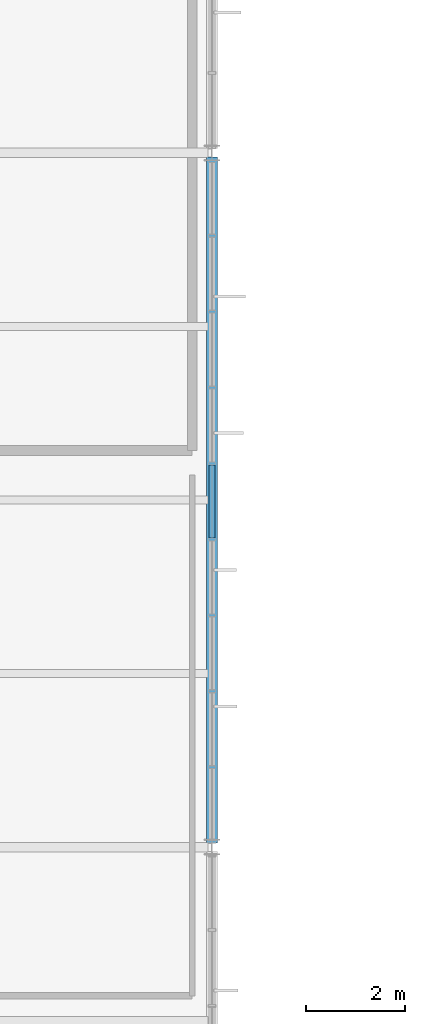
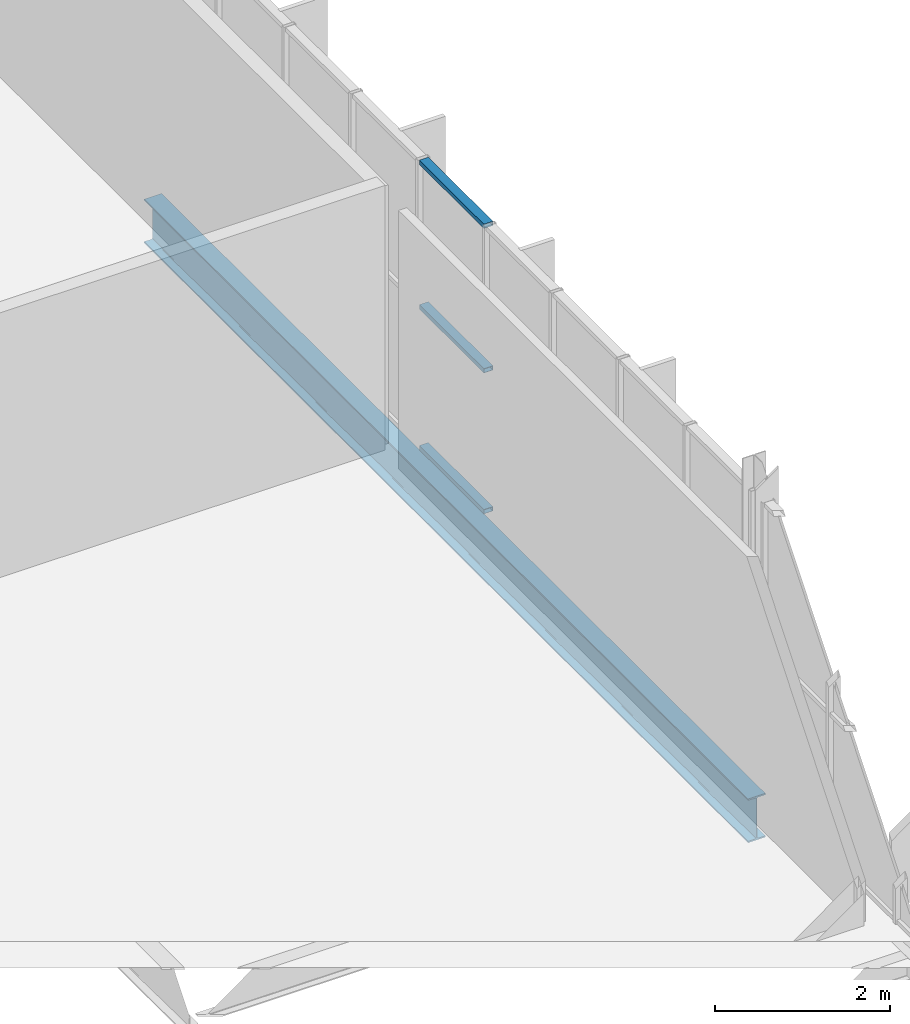
# One storey, part 49 of 324: 3 members, 1 beam, 1 element without a shape of its own.
"""IFC4 building model written with IfcOpenShell, lengths in metres."""

from ifc_helpers import new_model, si_unit, direction, frame, origin, origin_2d, place, context, subcontext, project, spatial, hollow_rectangle, i_section, extrude, material, layer, layer_set, material_profile, profile_set, type_object, element, aggregate, save


model = new_model("IFC4")

# Units and contexts
model_context = context("Model", 3, precision=1e-05, world=origin(), true_north=direction((0.0, 1.0)))
body_context = subcontext(model_context, "Body", "Model", "MODEL_VIEW")
ifc_project = project(units=[si_unit("LENGTHUNIT", "METRE"), si_unit("AREAUNIT", "SQUARE_METRE"), si_unit("VOLUMEUNIT", "CUBIC_METRE"), si_unit("PLANEANGLEUNIT", "RADIAN"), si_unit("MASSUNIT", "GRAM", prefix="KILO")], contexts=[model_context])

# Site, building, storey
site_placement = place(None, origin())
site = spatial("IfcSite", under=ifc_project, at=site_placement, CompositionType="ELEMENT")
building_placement = place(site_placement, origin())
building = spatial("IfcBuilding", under=site, at=building_placement, Name="Solvenia Promenade Tram Depot", CompositionType="ELEMENT")
storey_placement = place(building_placement, frame((0.0, 0.0, 4.5)))
storey = spatial("IfcBuildingStorey", under=building, at=storey_placement, Name="L01", CompositionType="ELEMENT", Elevation=4.5)

# Curtain wall, members
ifc_material_1 = material(Name="Anodized aluminium AW-6063 T6", Category="aluminium")
ifc_layer = layer(ifc_material_1, 0.1201171875, Name="Anodized aluminium AW-6063 T6", Category="aluminium")
ifc_layer_set = layer_set([ifc_layer], Name="Anodized aluminium AW-6063 T6")
curtain_wall_type = type_object("IfcCurtainWallType", Name="CW-Wash-1500", PredefinedType="NOTDEFINED", material=ifc_layer_set)
curtain_wall_placement = place(storey_placement, origin())
curtain_wall = element("IfcCurtainWall", 1, at=curtain_wall_placement, inside=storey, type_object=curtain_wall_type, Name="Curtain Wall CW-V3-E-L1-2", PredefinedType="NOTDEFINED")
ifc_material_profile_1 = material_profile(ifc_material_1, hollow_rectangle(XDim=0.1201171875, YDim=0.06005859375, WallThickness=0.00390625, at=origin_2d()), Name="ALU-T1", Category="aluminium")
ifc_profile_set_1 = profile_set([ifc_material_profile_1], Name="Anodized aluminium AW-6063 T6")
member_type = type_object("IfcMemberType", Name="CWT-Transom-1", PredefinedType="USERDEFINED", material=ifc_profile_set_1)
member_1_placement = place(storey_placement, frame((45.0, 44.23046875, 0.030029296875), z_axis=(0.0, 1.0, 0.0), x_axis=(-1.0, 0.0, 0.0)))
member_1 = element("IfcMember", 2, at=member_1_placement, type_object=member_type, Name="CW-10 transom 5.1", ObjectType="TRANSOM", PredefinedType="USERDEFINED", context=body_context, shape_type="SweptSolid", body=[
    extrude(hollow_rectangle(XDim=0.1201171875, YDim=0.06005859375, WallThickness=0.00390625, at=origin_2d()), origin(), (0.0, 0.0, 1.0), 1.47900390625),
])
member_2_placement = place(storey_placement, frame((45.0, 44.23046875, 2.0), z_axis=(0.0, 1.0, 0.0), x_axis=(-1.0, 0.0, 0.0)))
member_2 = element("IfcMember", 3, at=member_2_placement, type_object=member_type, Name="CW-10 transom 5.2", ObjectType="TRANSOM", PredefinedType="USERDEFINED", context=body_context, shape_type="SweptSolid", body=[
    extrude(hollow_rectangle(XDim=0.1201171875, YDim=0.06005859375, WallThickness=0.00390625, at=origin_2d()), origin(), (0.0, 0.0, 1.0), 1.47900390625),
])
member_3_placement = place(storey_placement, frame((45.0, 44.23046875, 4.02001953125), z_axis=(0.0, 1.0, 0.0), x_axis=(-1.0, 0.0, 0.0)))
member_3 = element("IfcMember", 4, at=member_3_placement, type_object=member_type, Name="CW-10 transom 5.3", ObjectType="TRANSOM", PredefinedType="USERDEFINED", context=body_context, shape_type="SweptSolid", body=[
    extrude(hollow_rectangle(XDim=0.1201171875, YDim=0.06005859375, WallThickness=0.00390625, at=origin_2d()), origin(), (0.0, 0.0, 1.0), 1.47900390625),
])
aggregate(curtain_wall, [member_1, member_2, member_3])

# Beam
ifc_material_2 = material(Name="Structural steel ASTM A992 Gr. 50", Category="steel")
ifc_material_profile_2 = material_profile(ifc_material_2, i_section(OverallWidth=0.22900390625, OverallDepth=0.612060546875, WebThickness=0.011962890625, FlangeThickness=0.01953125, FilletRadius=0.014892578125, at=origin_2d()), Name="W610x125", Category="steel")
ifc_profile_set_2 = profile_set([ifc_material_profile_2], Name="Structural steel ASTM A992 Gr. 50")
beam_type = type_object("IfcBeamType", Name="Gird-W610x125", PredefinedType="BEAM", material=ifc_profile_set_2)
beam_placement = place(storey_placement, frame((45.0, 38.0849609375, -0.5458984375), z_axis=(0.0, 1.0, 0.0), x_axis=(-1.0, 0.0, 0.0)))
element("IfcBeam", 5, at=beam_placement, inside=storey, type_object=beam_type, Name="Transverse Girder BM-L01-0248", PredefinedType="BEAM", context=body_context, shape_type="SweptSolid", body=[
    extrude(i_section(OverallWidth=0.22900390625, OverallDepth=0.612060546875, WebThickness=0.011962890625, FlangeThickness=0.01953125, FilletRadius=0.014892578125, at=origin_2d()), origin(), (0.0, 0.0, 1.0), 13.830078125),
])

save(model, "model.ifc")
